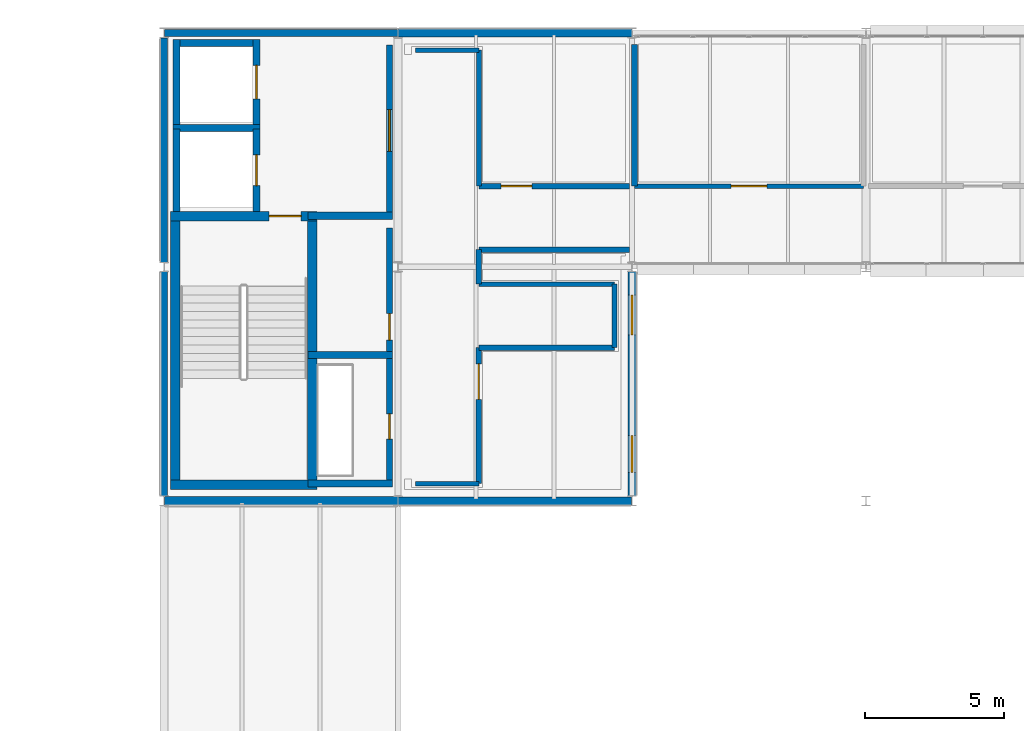
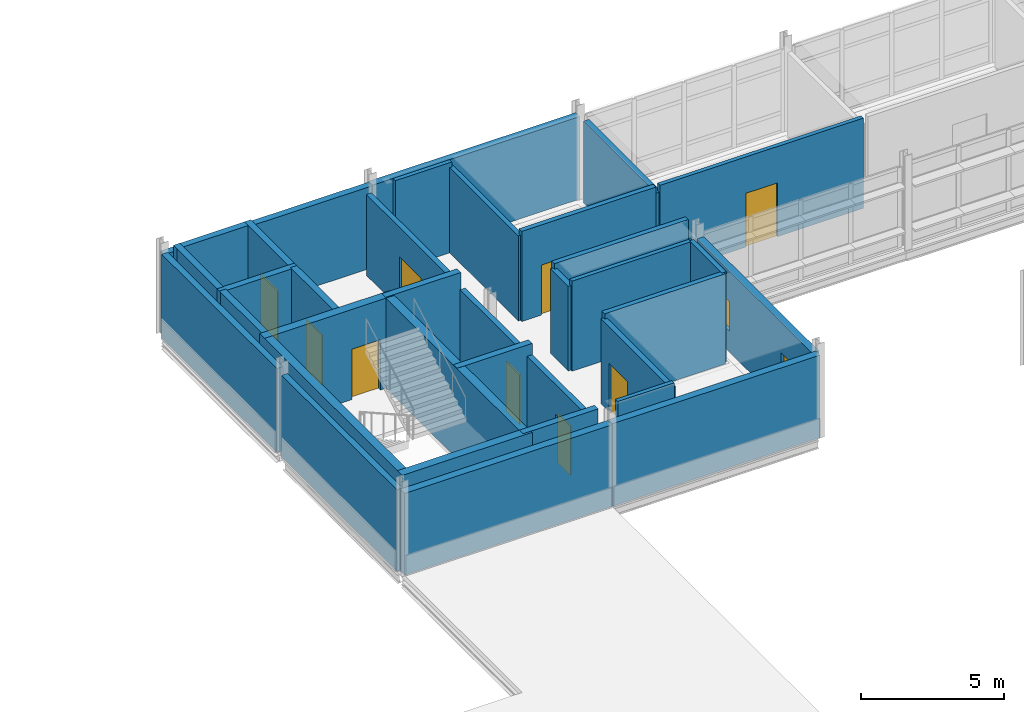
# One storey, part 51 of 66: 35 walls, 9 doors, 2 windows, 11 openings.
"""IFC4 building model written with IfcOpenShell, lengths in metres."""

from ifc_helpers import new_model, si_unit, direction, frame, frame_2d, origin, place, context, subcontext, project, spatial, rectangle, extrude, material, layer, layer_set, type_object, element, fill, save


model = new_model("IFC4")

# Units and contexts
model_context = context("Model", 3, precision=1e-05, world=origin(), true_north=direction((0.0, 1.0)))
body_context = subcontext(model_context, "Body", "Model", "MODEL_VIEW")
ifc_project = project(units=[si_unit("LENGTHUNIT", "METRE"), si_unit("AREAUNIT", "SQUARE_METRE"), si_unit("VOLUMEUNIT", "CUBIC_METRE"), si_unit("PLANEANGLEUNIT", "RADIAN"), si_unit("MASSUNIT", "GRAM", prefix="KILO")], contexts=[model_context])

# Site, building, storey
site_placement = place(None, origin())
site = spatial("IfcSite", under=ifc_project, at=site_placement, CompositionType="ELEMENT")
building_placement = place(site_placement, origin())
building = spatial("IfcBuilding", under=site, at=building_placement, Name="Mersafa Astral City Hall", CompositionType="ELEMENT")
storey_placement = place(building_placement, frame((0.0, 0.0, 22.050048828125)))
storey = spatial("IfcBuildingStorey", under=building, at=storey_placement, Name="L05", CompositionType="ELEMENT", Elevation=22.050048828125)

# Walls
ifc_material_1 = material(Name="Precast concrete C40/50 insulated terracotta spandrel", Category="masonry")
ifc_layer_1 = layer(ifc_material_1, 0.235107421875, Name="Precast concrete C40/50 insulated terracotta spandrel")
ifc_layer_set_1 = layer_set([ifc_layer_1], Name="Precast concrete C40/50 insulated terracotta spandrel — ENV-WAL-EXT-235")
wall_type_1 = type_object("IfcWallType", Name="ENV-WAL-EXT-235", PredefinedType="STANDARD", material=ifc_layer_set_1)
wall_1_placement = place(storey_placement, frame((42.0, 117.43408203125, 0.0), z_axis=(0.0, 0.0, 1.0), x_axis=(0.0, -1.0, 0.0)))
element("IfcWall", 1, at=wall_1_placement, inside=storey, type_object=wall_type_1, Name="L05 Limestone-clad exterior wall 353", PredefinedType="STANDARD", context=body_context, shape_type="SweptSolid", body=[
    extrude(rectangle(XDim=8.05810546875, YDim=0.235107421875, at=frame_2d((4.029052734375, 0.0))), origin(), (0.0, 0.0, 1.0), 3.4970703125),
])
ifc_layer_2 = layer(ifc_material_1, 0.25, Name="Precast concrete C40/50 insulated terracotta spandrel")
ifc_layer_set_2 = layer_set([ifc_layer_2], Name="Precast concrete C40/50 insulated terracotta spandrel — ENV-WAL-EXT-250")
wall_type_2 = type_object("IfcWallType", Name="ENV-WAL-EXT-250", PredefinedType="STANDARD", material=ifc_layer_set_2)
wall_2_placement = place(storey_placement, frame((42.0, 125.823974609375, 0.0), z_axis=(0.0, 0.0, 1.0), x_axis=(0.0, -1.0, 0.0)))
element("IfcWall", 2, at=wall_2_placement, inside=storey, type_object=wall_type_2, Name="L05 Limestone-clad exterior wall 352", PredefinedType="STANDARD", context=body_context, shape_type="SweptSolid", body=[
    extrude(rectangle(XDim=8.057861328125, YDim=0.25, at=frame_2d((4.02880859375, 0.0))), origin(), (0.0, 0.0, 1.0), 3.5869140625),
])
ifc_material_2 = material(Name="Precast concrete C40/50 insulated limestone wall", Category="masonry")
ifc_layer_3 = layer(ifc_material_2, 0.264892578125, Name="Precast concrete C40/50 insulated limestone wall")
ifc_layer_set_3 = layer_set([ifc_layer_3], Name="Precast concrete C40/50 insulated limestone wall — ENV-WAL-EXT-265")
wall_type_3 = type_object("IfcWallType", Name="ENV-WAL-EXT-265", PredefinedType="STANDARD", material=ifc_layer_set_3)
wall_3_placement = place(storey_placement, frame((50.39208984375, 126.0, 0.0), z_axis=(0.0, 0.0, 1.0), x_axis=(-1.0, 0.0, 0.0)))
element("IfcWall", 3, at=wall_3_placement, inside=storey, type_object=wall_type_3, Name="L05 Limestone-clad exterior wall 351", PredefinedType="STANDARD", context=body_context, shape_type="SweptSolid", body=[
    extrude(rectangle(XDim=8.384033203125, YDim=0.264892578125, at=frame_2d((4.19189453125, 0.0))), origin(), (0.0, 0.0, 1.0), 3.4970703125),
])
ifc_layer_4 = layer(ifc_material_2, 0.280029296875, Name="Precast concrete C40/50 insulated limestone wall")
ifc_layer_set_4 = layer_set([ifc_layer_4], Name="Precast concrete C40/50 insulated limestone wall — ENV-WAL-EXT-280")
wall_type_4 = type_object("IfcWallType", Name="ENV-WAL-EXT-280", PredefinedType="STANDARD", material=ifc_layer_set_4)
wall_4_placement = place(storey_placement, frame((58.7919921875, 126.0, 0.0), z_axis=(0.0, 0.0, 1.0), x_axis=(-1.0, 0.0, 0.0)))
element("IfcWall", 4, at=wall_4_placement, inside=storey, type_object=wall_type_4, Name="L05 Limestone-clad exterior wall 350", PredefinedType="STANDARD", context=body_context, shape_type="SweptSolid", body=[
    extrude(rectangle(XDim=8.384033203125, YDim=0.280029296875, at=frame_2d((4.19189453125, 0.0))), origin(), (0.0, 0.0, 1.0), 3.52685546875),
])

# Wall, openings, windows
wall_5_placement = place(storey_placement, frame((58.800048828125, 109.3759765625, 0.0), z_axis=(0.0, 0.0, 1.0), x_axis=(0.0, 1.0, 0.0)))
wall_5 = element("IfcWall", 5, at=wall_5_placement, inside=storey, type_object=wall_type_4, Name="L05 Limestone-clad exterior wall 356", PredefinedType="STANDARD", context=body_context, shape_type="SweptSolid", body=[
    extrude(rectangle(XDim=8.05810546875, YDim=0.280029296875, at=frame_2d((4.029052734375, 0.0))), origin(), (0.0, 0.0, 1.0), 3.45703125),
])
opening_1_placement = place(wall_5_placement, frame((0.85009765625, 0.0, 0.89990234375)))
opening_1 = element("IfcOpeningElement", 6, at=opening_1_placement, cuts=wall_5, Name="Opening W-14", PredefinedType="OPENING", context=body_context, shape_type="SweptSolid", body=[
    extrude(rectangle(XDim=1.320068359375, YDim=1.25, at=frame_2d((0.66015625, 0.625))), frame((0.0, 0.14990234375, 0.0), z_axis=(0.0, -1.0, 0.0), x_axis=(1.0, 0.0, 0.0)), (0.0, 0.0, 1.0), 0.300048828125),
])
opening_2_placement = place(wall_5_placement, frame((5.7880859375, 0.0, 0.89990234375)))
opening_2 = element("IfcOpeningElement", 7, at=opening_2_placement, cuts=wall_5, Name="Opening W-15", PredefinedType="OPENING", context=body_context, shape_type="SweptSolid", body=[
    extrude(rectangle(XDim=1.419921875, YDim=1.25, at=frame_2d((0.7099609375, 0.625))), frame((0.0, 0.14990234375, 0.0), z_axis=(0.0, -1.0, 0.0), x_axis=(1.0, 0.0, 0.0)), (0.0, 0.0, 1.0), 0.300048828125),
])
ifc_material_3 = material(Name="Solar control low-e double glazing in bronze frame", Category="glass")
window_type_1 = type_object("IfcWindowType", Name="ENV-WIN-W-14", PartitioningType="SINGLE_PANEL", PredefinedType="WINDOW", material=ifc_material_3)
window_1_placement = place(opening_1_placement, origin())
window_1 = element("IfcWindow", 8, at=window_1_placement, inside=storey, type_object=window_type_1, Name="L05 Solar punched window 356-L", OverallHeight=1.25, OverallWidth=1.320068359375, PartitioningType="SINGLE_PANEL", PredefinedType="WINDOW", context=body_context, shape_type="SweptSolid", body=[
    extrude(rectangle(XDim=1.320068359375, YDim=1.25, at=frame_2d((0.66015625, 0.625))), frame((0.0, 0.030029296875, 0.0), z_axis=(0.0, -1.0, 0.0), x_axis=(1.0, 0.0, 0.0)), (0.0, 0.0, 1.0), 0.06005859375),
])
fill(opening_1, window_1)
window_type_2 = type_object("IfcWindowType", Name="ENV-WIN-W-15", PartitioningType="SINGLE_PANEL", PredefinedType="WINDOW", material=ifc_material_3)
window_2_placement = place(opening_2_placement, origin())
window_2 = element("IfcWindow", 9, at=window_2_placement, inside=storey, type_object=window_type_2, Name="L05 Solar punched window 356-R", OverallHeight=1.25, OverallWidth=1.419921875, PartitioningType="SINGLE_PANEL", PredefinedType="WINDOW", context=body_context, shape_type="SweptSolid", body=[
    extrude(rectangle(XDim=1.419921875, YDim=1.25, at=frame_2d((0.7099609375, 0.625))), frame((0.0, 0.030029296875, 0.0), z_axis=(0.0, -1.0, 0.0), x_axis=(1.0, 0.0, 0.0)), (0.0, 0.0, 1.0), 0.06005859375),
])
fill(opening_2, window_2)

# Walls
ifc_layer_5 = layer(ifc_material_2, 0.294921875, Name="Precast concrete C40/50 insulated limestone wall")
ifc_layer_set_5 = layer_set([ifc_layer_5], Name="Precast concrete C40/50 insulated limestone wall — ENV-WAL-EXT-295")
wall_type_5 = type_object("IfcWallType", Name="ENV-WAL-EXT-295", PredefinedType="STANDARD", material=ifc_layer_set_5)
wall_6_placement = place(storey_placement, frame((50.407958984375, 109.199951171875, 0.0), z_axis=(0.0, 0.0, 1.0), x_axis=(1.0, 0.0, 0.0)))
element("IfcWall", 10, at=wall_6_placement, inside=storey, type_object=wall_type_5, Name="L05 Limestone-clad exterior wall 355", PredefinedType="STANDARD", context=body_context, shape_type="SweptSolid", body=[
    extrude(rectangle(XDim=8.384033203125, YDim=0.294921875, at=frame_2d((4.19189453125, 0.0))), origin(), (0.0, 0.0, 1.0), 3.52685546875),
])
ifc_layer_6 = layer(ifc_material_2, 0.31005859375, Name="Precast concrete C40/50 insulated limestone wall")
ifc_layer_set_6 = layer_set([ifc_layer_6], Name="Precast concrete C40/50 insulated limestone wall — ENV-WAL-EXT-310")
wall_type_6 = type_object("IfcWallType", Name="ENV-WAL-EXT-310", PredefinedType="STANDARD", material=ifc_layer_set_6)
wall_7_placement = place(storey_placement, frame((42.008056640625, 109.199951171875, 0.0), z_axis=(0.0, 0.0, 1.0), x_axis=(1.0, 0.0, 0.0)))
element("IfcWall", 11, at=wall_7_placement, inside=storey, type_object=wall_type_6, Name="L05 Limestone-clad exterior wall 354", PredefinedType="STANDARD", context=body_context, shape_type="SweptSolid", body=[
    extrude(rectangle(XDim=8.384033203125, YDim=0.31005859375, at=frame_2d((4.19189453125, 0.0))), origin(), (0.0, 0.0, 1.0), 3.4970703125),
])
ifc_material_4 = material(Name="Concrete C40/50", Category="concrete")
ifc_layer_7 = layer(ifc_material_4, 0.260009765625, Name="Concrete C40/50")
ifc_layer_set_7 = layer_set([ifc_layer_7], Name="Concrete C40/50 — INT-WAL-CORE-260")
wall_type_7 = type_object("IfcWallType", Name="INT-WAL-CORE-260", PredefinedType="SHEAR", material=ifc_layer_set_7)
wall_8_placement = place(storey_placement, frame((42.31494140625, 122.5849609375, 0.0), z_axis=(0.0, 0.0, 1.0), x_axis=(1.0, 0.0, 0.0)))
element("IfcWall", 12, at=wall_8_placement, inside=storey, type_object=wall_type_7, Name="L05 Lift LF5 north shaft wall", PredefinedType="SHEAR", context=body_context, shape_type="SweptSolid", body=[
    extrude(rectangle(XDim=3.130126953125, YDim=0.260009765625, at=frame_2d((1.56494140625, 0.0))), origin(), (0.0, 0.0, 1.0), 3.849853515625),
])
wall_9_placement = place(storey_placement, frame((42.445068359375, 119.596923828125, 0.0), z_axis=(0.0, 0.0, 1.0), x_axis=(0.0, 1.0, 0.0)))
element("IfcWall", 13, at=wall_9_placement, inside=storey, type_object=wall_type_7, Name="L05 Lift LF5 back shaft wall", PredefinedType="SHEAR", context=body_context, shape_type="SweptSolid", body=[
    extrude(rectangle(XDim=2.947998046875, YDim=0.260009765625, at=frame_2d((1.47412109375, 0.0))), origin(), (0.0, 0.0, 1.0), 3.849853515625),
])

# Wall, opening, door
wall_10_placement = place(storey_placement, frame((45.31494140625, 119.596923828125, 0.0), z_axis=(0.0, 0.0, 1.0), x_axis=(0.0, 1.0, 0.0)))
wall_10 = element("IfcWall", 14, at=wall_10_placement, inside=storey, type_object=wall_type_7, Name="L05 Lift LF5 front shaft wall", PredefinedType="SHEAR", context=body_context, shape_type="SweptSolid", body=[
    extrude(rectangle(XDim=2.947998046875, YDim=0.260009765625, at=frame_2d((1.47412109375, 0.0))), origin(), (0.0, 0.0, 1.0), 3.849853515625),
])
opening_3_placement = place(wall_10_placement, frame((0.924072265625, 0.0, 0.0)))
opening_3 = element("IfcOpeningElement", 15, at=opening_3_placement, cuts=wall_10, Name="Opening LD-1", PredefinedType="OPENING", context=body_context, shape_type="SweptSolid", body=[
    extrude(rectangle(XDim=1.10009765625, YDim=2.14990234375, at=frame_2d((0.550048828125, 1.074951171875))), frame((0.0, 0.139892578125, 0.0), z_axis=(0.0, -1.0, 0.0), x_axis=(1.0, 0.0, 0.0)), (0.0, 0.0, 1.0), 0.280029296875),
])
ifc_material_5 = material(Name="Stainless steel sliding lift landing door", Category="steel")
door_type_1 = type_object("IfcDoorType", Name="INT-DR-LIFT-LD1", OperationType="NOTDEFINED", PredefinedType="DOOR", material=ifc_material_5)
door_1_placement = place(opening_3_placement, origin())
door_1 = element("IfcDoor", 16, at=door_1_placement, inside=storey, type_object=door_type_1, Name="Elevator LF5 Sliding Landing Door L05", OperationType="DOUBLE_DOOR_SLIDING", OverallHeight=2.14990234375, OverallWidth=1.10009765625, PredefinedType="DOOR", context=body_context, shape_type="SweptSolid", body=[
    extrude(rectangle(XDim=1.10009765625, YDim=2.14990234375, at=frame_2d((0.550048828125, 1.074951171875))), frame((0.0, 0.02490234375, 0.0), z_axis=(0.0, -1.0, 0.0), x_axis=(1.0, 0.0, 0.0)), (0.0, 0.0, 1.0), 0.050048828125),
])
fill(opening_3, door_1)

# Walls
wall_11_placement = place(storey_placement, frame((42.31494140625, 125.635009765625, 0.0), z_axis=(0.0, 0.0, 1.0), x_axis=(1.0, 0.0, 0.0)))
element("IfcWall", 17, at=wall_11_placement, inside=storey, type_object=wall_type_7, Name="L05 Lift LF9 north shaft wall", PredefinedType="SHEAR", context=body_context, shape_type="SweptSolid", body=[
    extrude(rectangle(XDim=3.130126953125, YDim=0.260009765625, at=frame_2d((1.56494140625, 0.0))), origin(), (0.0, 0.0, 1.0), 3.849853515625),
])
wall_12_placement = place(storey_placement, frame((42.445068359375, 122.705078125, 0.0), z_axis=(0.0, 0.0, 1.0), x_axis=(0.0, 1.0, 0.0)))
element("IfcWall", 18, at=wall_12_placement, inside=storey, type_object=wall_type_7, Name="L05 Lift LF9 back shaft wall", PredefinedType="SHEAR", context=body_context, shape_type="SweptSolid", body=[
    extrude(rectangle(XDim=3.059814453125, YDim=0.260009765625, at=frame_2d((1.52978515625, 0.0))), origin(), (0.0, 0.0, 1.0), 3.849853515625),
])

# Wall, opening, door
wall_13_placement = place(storey_placement, frame((45.31494140625, 122.705078125, 0.0), z_axis=(0.0, 0.0, 1.0), x_axis=(0.0, 1.0, 0.0)))
wall_13 = element("IfcWall", 19, at=wall_13_placement, inside=storey, type_object=wall_type_7, Name="L05 Lift LF9 front shaft wall", PredefinedType="SHEAR", context=body_context, shape_type="SweptSolid", body=[
    extrude(rectangle(XDim=3.059814453125, YDim=0.260009765625, at=frame_2d((1.52978515625, 0.0))), origin(), (0.0, 0.0, 1.0), 3.849853515625),
])
opening_4_placement = place(wall_13_placement, frame((0.929931640625, 0.0, 0.0)))
opening_4 = element("IfcOpeningElement", 20, at=opening_4_placement, cuts=wall_13, Name="Opening LD-2", PredefinedType="OPENING", context=body_context, shape_type="SweptSolid", body=[
    extrude(rectangle(XDim=1.199951171875, YDim=2.14990234375, at=frame_2d((0.60009765625, 1.074951171875))), frame((0.0, 0.139892578125, 0.0), z_axis=(0.0, -1.0, 0.0), x_axis=(1.0, 0.0, 0.0)), (0.0, 0.0, 1.0), 0.280029296875),
])
ifc_material_6 = material(Name="Heavy-duty sliding goods lift landing door", Category="metal")
door_type_2 = type_object("IfcDoorType", Name="INT-DR-LIFT-LD2", OperationType="NOTDEFINED", PredefinedType="DOOR", material=ifc_material_6)
door_2_placement = place(opening_4_placement, origin())
door_2 = element("IfcDoor", 21, at=door_2_placement, inside=storey, type_object=door_type_2, Name="Elevator LF9 Sliding Landing Door L05", OperationType="DOUBLE_DOOR_SLIDING", OverallHeight=2.14990234375, OverallWidth=1.199951171875, PredefinedType="DOOR", context=body_context, shape_type="SweptSolid", body=[
    extrude(rectangle(XDim=1.199951171875, YDim=2.14990234375, at=frame_2d((0.60009765625, 1.074951171875))), frame((0.0, 0.02490234375, 0.0), z_axis=(0.0, -1.0, 0.0), x_axis=(1.0, 0.0, 0.0)), (0.0, 0.0, 1.0), 0.050048828125),
])
fill(opening_4, door_2)

# Walls
for number, where, z_axis, x_axis, name in (
    (22, (47.1650390625, 109.820068359375, 0.0), (0.0, 0.0, 1.0), (1.0, 0.0, 0.0), "L05 Core K3 riser south wall"),
    (23, (47.1650390625, 114.43505859375, 0.0), (0.0, 0.0, 1.0), (1.0, 0.0, 0.0), "L05 Core K3 riser-restroom divider wall"),
    (24, (47.1650390625, 119.43505859375, 0.0), (0.0, 0.0, 1.0), (1.0, 0.0, 0.0), "L05 Core K3 restroom-lobby divider wall"),
):
    element("IfcWall", number, at=place(storey_placement, frame(where, z_axis=z_axis, x_axis=x_axis)), inside=storey, type_object=wall_type_7, Name=name, PredefinedType="SHEAR", context=body_context, shape_type="SweptSolid", body=[
        extrude(rectangle(XDim=3.034912109375, YDim=0.260009765625, at=frame_2d((1.517578125, 0.0))), origin(), (0.0, 0.0, 1.0), 3.849853515625),
    ])
ifc_layer_8 = layer(ifc_material_4, 0.340087890625, Name="Concrete C40/50")
ifc_layer_set_8 = layer_set([ifc_layer_8], Name="Concrete C40/50 — INT-WAL-CORE-340")
wall_type_8 = type_object("IfcWallType", Name="INT-WAL-CORE-340", PredefinedType="SHEAR", material=ifc_layer_set_8)
for number, where, z_axis, x_axis, name in (
    (25, (42.405029296875, 109.60498046875, 0.0), (0.0, 0.0, 1.0), (0.0, 1.0, 0.0), "L05 Core K3 stair west shear wall"),
    (26, (47.31494140625, 109.60498046875, 0.0), (0.0, 0.0, 1.0), (0.0, 1.0, 0.0), "L05 Core K3 stair east shear wall"),
):
    element("IfcWall", number, at=place(storey_placement, frame(where, z_axis=z_axis, x_axis=x_axis)), inside=storey, type_object=wall_type_8, Name=name, PredefinedType="SHEAR", context=body_context, shape_type="SweptSolid", body=[
        extrude(rectangle(XDim=9.989990234375, YDim=0.340087890625, at=frame_2d((4.9951171875, 0.0))), origin(), (0.0, 0.0, 1.0), 3.849853515625),
    ])
wall_14_placement = place(storey_placement, frame((42.235107421875, 109.77490234375, 0.0), z_axis=(0.0, 0.0, 1.0), x_axis=(1.0, 0.0, 0.0)))
element("IfcWall", 27, at=wall_14_placement, inside=storey, type_object=wall_type_8, Name="L05 Core K3 stair south shear wall", PredefinedType="SHEAR", context=body_context, shape_type="SweptSolid", body=[
    extrude(rectangle(XDim=5.25, YDim=0.340087890625, at=frame_2d((2.625, 0.0))), origin(), (0.0, 0.0, 1.0), 3.849853515625),
])

# Wall, opening, door
wall_15_placement = place(storey_placement, frame((42.235107421875, 119.425048828125, 0.0), z_axis=(0.0, 0.0, 1.0), x_axis=(1.0, 0.0, 0.0)))
wall_15 = element("IfcWall", 28, at=wall_15_placement, inside=storey, type_object=wall_type_8, Name="L05 Core K3 stair-lobby fire wall", PredefinedType="SHEAR", context=body_context, shape_type="SweptSolid", body=[
    extrude(rectangle(XDim=5.25, YDim=0.340087890625, at=frame_2d((2.625, 0.0))), origin(), (0.0, 0.0, 1.0), 3.849853515625),
])
opening_5_placement = place(wall_15_placement, frame((3.534912109375, 0.0, 0.0)))
opening_5 = element("IfcOpeningElement", 29, at=opening_5_placement, cuts=wall_15, Name="Opening CD-1", PredefinedType="OPENING", context=body_context, shape_type="SweptSolid", body=[
    extrude(rectangle(XDim=1.14990234375, YDim=2.14990234375, at=frame_2d((0.574951171875, 1.074951171875))), frame((0.0, 0.179931640625, 0.0), z_axis=(0.0, -1.0, 0.0), x_axis=(1.0, 0.0, 0.0)), (0.0, 0.0, 1.0), 0.360107421875),
])
ifc_material_7 = material(Name="Fire-rated steel stair door", Category="steel")
door_type_3 = type_object("IfcDoorType", Name="INT-DR-STAIR-FD90-1150", OperationType="NOTDEFINED", PredefinedType="DOOR", material=ifc_material_7)
door_3_placement = place(opening_5_placement, origin())
door_3 = element("IfcDoor", 30, at=door_3_placement, inside=storey, type_object=door_type_3, Name="L05 Protected Stair ST3 Door", OperationType="SINGLE_SWING_LEFT", OverallHeight=2.14990234375, OverallWidth=1.14990234375, PredefinedType="DOOR", context=body_context, shape_type="SweptSolid", body=[
    extrude(rectangle(XDim=1.14990234375, YDim=2.14990234375, at=frame_2d((0.574951171875, 1.074951171875))), frame((0.0, 0.02490234375, 0.0), z_axis=(0.0, -1.0, 0.0), x_axis=(1.0, 0.0, 0.0)), (0.0, 0.0, 1.0), 0.050048828125),
])
fill(opening_5, door_3)

ifc_material_8 = material(Name="Fire-rated gypsum stud partition", Category="gypsum")
ifc_layer_9 = layer(ifc_material_8, 0.1650390625, Name="Fire-rated gypsum stud partition")
ifc_layer_set_9 = layer_set([ifc_layer_9], Name="Fire-rated gypsum stud partition — INT-WAL-PART-EI60-165")
wall_type_9 = type_object("IfcWallType", Name="INT-WAL-PART-EI60-165", PredefinedType="STANDARD", material=ifc_layer_set_9)
wall_16_placement = place(storey_placement, frame((67.110107421875, 120.5, -0.004150390625), z_axis=(0.0, 0.0, 1.0), x_axis=(-1.0, 0.0, 0.0)))
wall_16 = element("IfcWall", 31, at=wall_16_placement, inside=storey, type_object=wall_type_9, Name="L05 Interior partition wall 743", PredefinedType="STANDARD", context=body_context, shape_type="SweptSolid", body=[
    extrude(rectangle(XDim=8.22021484375, YDim=0.1650390625, at=frame_2d((4.110107421875, 0.0))), origin(), (0.0, 0.0, 1.0), 3.85400390625),
])
opening_6_placement = place(wall_16_placement, frame((3.469970703125, 0.0, 0.0)))
opening_6 = element("IfcOpeningElement", 32, at=opening_6_placement, cuts=wall_16, Name="Opening D-33", PredefinedType="OPENING", context=body_context, shape_type="SweptSolid", body=[
    extrude(rectangle(XDim=1.280029296875, YDim=2.300048828125, at=frame_2d((0.64013671875, 1.14990234375))), frame((0.0, 0.092529296875, 0.0), z_axis=(0.0, -1.0, 0.0), x_axis=(1.0, 0.0, 0.0)), (0.0, 0.0, 1.0), 0.18505859375),
])
ifc_material_9 = material(Name="Cedar veneered acoustic fire-rated timber door", Category="wood")
door_type_4 = type_object("IfcDoorType", Name="INT-DR-RM-D-33", OperationType="NOTDEFINED", PredefinedType="DOOR", material=ifc_material_9)
door_4_placement = place(opening_6_placement, origin())
door_4 = element("IfcDoor", 33, at=door_4_placement, inside=storey, type_object=door_type_4, Name="L05 Deputy Mayor Executive Suite L05-02 Entrance Door", OperationType="SINGLE_SWING_LEFT", OverallHeight=2.300048828125, OverallWidth=1.280029296875, PredefinedType="DOOR", context=body_context, shape_type="SweptSolid", body=[
    extrude(rectangle(XDim=1.280029296875, YDim=2.300048828125, at=frame_2d((0.64013671875, 1.14990234375))), frame((0.0, 0.02490234375, 0.0), z_axis=(0.0, -1.0, 0.0), x_axis=(1.0, 0.0, 0.0)), (0.0, 0.0, 1.0), 0.050048828125),
])
fill(opening_6, door_4)

# Walls
wall_17_placement = place(storey_placement, frame((51.02001953125, 109.820068359375, -0.004150390625), z_axis=(0.0, 0.0, 1.0), x_axis=(1.0, 0.0, 0.0)))
element("IfcWall", 34, at=wall_17_placement, inside=storey, type_object=wall_type_9, Name="L05 Interior partition wall 763", PredefinedType="STANDARD", context=body_context, shape_type="SweptSolid", body=[
    extrude(rectangle(XDim=2.280029296875, YDim=0.1650390625, at=frame_2d((1.14013671875, 0.0))), origin(), (0.0, 0.0, 1.0), 3.85400390625),
])
wall_18_placement = place(storey_placement, frame((58.179931640625, 116.97998046875, -0.004150390625), z_axis=(0.0, 0.0, 1.0), x_axis=(-1.0, 0.0, 0.0)))
element("IfcWall", 35, at=wall_18_placement, inside=storey, type_object=wall_type_9, Name="L05 Interior partition wall 767", PredefinedType="STANDARD", context=body_context, shape_type="SweptSolid", body=[
    extrude(rectangle(XDim=4.8798828125, YDim=0.1650390625, at=frame_2d((2.43994140625, 0.0))), origin(), (0.0, 0.0, 1.0), 3.85400390625),
])
wall_19_placement = place(storey_placement, frame((53.300048828125, 125.3798828125, -0.004150390625), z_axis=(0.0, 0.0, 1.0), x_axis=(-1.0, 0.0, 0.0)))
element("IfcWall", 36, at=wall_19_placement, inside=storey, type_object=wall_type_9, Name="L05 Interior partition wall 791", PredefinedType="STANDARD", context=body_context, shape_type="SweptSolid", body=[
    extrude(rectangle(XDim=2.280029296875, YDim=0.1650390625, at=frame_2d((1.14013671875, 0.0))), origin(), (0.0, 0.0, 1.0), 3.85400390625),
])
ifc_material_10 = material(Name="Acoustic twin-stud gypsum partition", Category="gypsum")
ifc_layer_10 = layer(ifc_material_10, 0.179931640625, Name="Acoustic twin-stud gypsum partition")
ifc_layer_set_10 = layer_set([ifc_layer_10], Name="Acoustic twin-stud gypsum partition — INT-WAL-PART-EI60-180")
wall_type_10 = type_object("IfcWallType", Name="INT-WAL-PART-EI60-180", PredefinedType="STANDARD", material=ifc_layer_set_10)
wall_20_placement = place(storey_placement, frame((58.179931640625, 114.699951171875, -0.004150390625), z_axis=(0.0, 0.0, 1.0), x_axis=(0.0, 1.0, 0.0)))
element("IfcWall", 37, at=wall_20_placement, inside=storey, type_object=wall_type_10, Name="L05 Interior partition wall 766", PredefinedType="STANDARD", context=body_context, shape_type="SweptSolid", body=[
    extrude(rectangle(XDim=2.280029296875, YDim=0.179931640625, at=frame_2d((1.14013671875, 0.0))), origin(), (0.0, 0.0, 1.0), 3.85400390625),
])
wall_21_placement = place(storey_placement, frame((53.300048828125, 120.5, -0.004150390625), z_axis=(0.0, 0.0, 1.0), x_axis=(0.0, 1.0, 0.0)))
element("IfcWall", 38, at=wall_21_placement, inside=storey, type_object=wall_type_10, Name="L05 Interior partition wall 790", PredefinedType="STANDARD", context=body_context, shape_type="SweptSolid", body=[
    extrude(rectangle(XDim=4.8798828125, YDim=0.179931640625, at=frame_2d((2.43994140625, 0.0))), origin(), (0.0, 0.0, 1.0), 3.64111328125),
])
ifc_layer_11 = layer(ifc_material_10, 0.195068359375, Name="Acoustic twin-stud gypsum partition")
ifc_layer_set_11 = layer_set([ifc_layer_11], Name="Acoustic twin-stud gypsum partition — INT-WAL-PART-EI60-195")
wall_type_11 = type_object("IfcWallType", Name="INT-WAL-PART-EI60-195", PredefinedType="STANDARD", material=ifc_layer_set_11)
wall_22_placement = place(storey_placement, frame((53.300048828125, 114.699951171875, -0.004150390625), z_axis=(0.0, 0.0, 1.0), x_axis=(1.0, 0.0, 0.0)))
element("IfcWall", 39, at=wall_22_placement, inside=storey, type_object=wall_type_11, Name="L05 Interior partition wall 765", PredefinedType="STANDARD", context=body_context, shape_type="SweptSolid", body=[
    extrude(rectangle(XDim=4.8798828125, YDim=0.195068359375, at=frame_2d((2.43994140625, 0.0))), origin(), (0.0, 0.0, 1.0), 3.85400390625),
])
wall_23_placement = place(storey_placement, frame((53.300048828125, 118.219970703125, -0.004150390625), z_axis=(0.0, 0.0, 1.0), x_axis=(1.0, 0.0, 0.0)))
element("IfcWall", 40, at=wall_23_placement, inside=storey, type_object=wall_type_11, Name="L05 Interior partition wall 769", PredefinedType="STANDARD", context=body_context, shape_type="SweptSolid", body=[
    extrude(rectangle(XDim=5.409912109375, YDim=0.195068359375, at=frame_2d((2.705078125, 0.0))), origin(), (0.0, 0.0, 1.0), 3.85400390625),
])

# Wall, opening, door
wall_24_placement = place(storey_placement, frame((58.7099609375, 120.5, -0.004150390625), z_axis=(0.0, 0.0, 1.0), x_axis=(-1.0, 0.0, 0.0)))
wall_24 = element("IfcWall", 41, at=wall_24_placement, inside=storey, type_object=wall_type_11, Name="L05 Interior partition wall 789", PredefinedType="STANDARD", context=body_context, shape_type="SweptSolid", body=[
    extrude(rectangle(XDim=5.409912109375, YDim=0.195068359375, at=frame_2d((2.705078125, 0.0))), origin(), (0.0, 0.0, 1.0), 3.85400390625),
])
opening_7_placement = place(wall_24_placement, frame((3.507568359375, 0.0, 0.0)))
opening_7 = element("IfcOpeningElement", 42, at=opening_7_placement, cuts=wall_24, Name="Opening D-13", PredefinedType="OPENING", context=body_context, shape_type="SweptSolid", body=[
    extrude(rectangle(XDim=1.10009765625, YDim=2.139892578125, at=frame_2d((0.550048828125, 1.06982421875))), frame((0.0, 0.107421875, 0.0), z_axis=(0.0, -1.0, 0.0), x_axis=(1.0, 0.0, 0.0)), (0.0, 0.0, 1.0), 0.215087890625),
])
door_type_5 = type_object("IfcDoorType", Name="INT-DR-RM-D-13", OperationType="NOTDEFINED", PredefinedType="DOOR", material=ifc_material_9)
door_5_placement = place(opening_7_placement, origin())
door_5 = element("IfcDoor", 43, at=door_5_placement, inside=storey, type_object=door_type_5, Name="L05 Capital Budget Review Room L05-18 Entrance Door", OperationType="SINGLE_SWING_LEFT", OverallHeight=2.139892578125, OverallWidth=1.10009765625, PredefinedType="DOOR", context=body_context, shape_type="SweptSolid", body=[
    extrude(rectangle(XDim=1.10009765625, YDim=2.139892578125, at=frame_2d((0.550048828125, 1.06982421875))), frame((0.0, 0.02490234375, 0.0), z_axis=(0.0, -1.0, 0.0), x_axis=(1.0, 0.0, 0.0)), (0.0, 0.0, 1.0), 0.050048828125),
])
fill(opening_7, door_5)

ifc_material_11 = material(Name="Autoclaved aerated concrete blockwork plastered", Category="masonry")
ifc_layer_12 = layer(ifc_material_11, 0.2099609375, Name="Autoclaved aerated concrete blockwork plastered")
ifc_layer_set_12 = layer_set([ifc_layer_12], Name="Autoclaved aerated concrete blockwork plastered — INT-WAL-PART-EI60-210")
wall_type_12 = type_object("IfcWallType", Name="INT-WAL-PART-EI60-210", PredefinedType="STANDARD", material=ifc_layer_set_12)
wall_25_placement = place(storey_placement, frame((50.10009765625, 109.820068359375, 0.0), z_axis=(0.0, 0.0, 1.0), x_axis=(0.0, 1.0, 0.0)))
wall_25 = element("IfcWall", 44, at=wall_25_placement, inside=storey, type_object=wall_type_12, Name="L05 Core K3 riser corridor partition", PredefinedType="STANDARD", context=body_context, shape_type="SweptSolid", body=[
    extrude(rectangle(XDim=4.58984375, YDim=0.2099609375, at=frame_2d((2.294921875, 0.0))), origin(), (0.0, 0.0, 1.0), 3.366943359375),
])
opening_8_placement = place(wall_25_placement, frame((1.60009765625, 0.0, 0.0)))
opening_8 = element("IfcOpeningElement", 45, at=opening_8_placement, cuts=wall_25, Name="Opening CD-5", PredefinedType="OPENING", context=body_context, shape_type="SweptSolid", body=[
    extrude(rectangle(XDim=0.89990234375, YDim=2.10009765625, at=frame_2d((0.449951171875, 1.050048828125))), frame((0.0, 0.114990234375, 0.0), z_axis=(0.0, -1.0, 0.0), x_axis=(1.0, 0.0, 0.0)), (0.0, 0.0, 1.0), 0.22998046875),
])
ifc_material_12 = material(Name="Fire-rated steel riser access door", Category="steel")
door_type_6 = type_object("IfcDoorType", Name="INT-DR-RISER-FD60-900", OperationType="NOTDEFINED", PredefinedType="DOOR", material=ifc_material_12)
door_6_placement = place(opening_8_placement, origin())
door_6 = element("IfcDoor", 46, at=door_6_placement, inside=storey, type_object=door_type_6, Name="L05 K3 MEP Riser Access Door", OperationType="SINGLE_SWING_RIGHT", OverallHeight=2.10009765625, OverallWidth=0.89990234375, PredefinedType="DOOR", context=body_context, shape_type="SweptSolid", body=[
    extrude(rectangle(XDim=0.89990234375, YDim=2.10009765625, at=frame_2d((0.449951171875, 1.050048828125))), frame((0.0, 0.02490234375, 0.0), z_axis=(0.0, -1.0, 0.0), x_axis=(1.0, 0.0, 0.0)), (0.0, 0.0, 1.0), 0.050048828125),
])
fill(opening_8, door_6)

wall_26_placement = place(storey_placement, frame((50.10009765625, 114.52001953125, 0.0), z_axis=(0.0, 0.0, 1.0), x_axis=(0.0, 1.0, 0.0)))
wall_26 = element("IfcWall", 47, at=wall_26_placement, inside=storey, type_object=wall_type_12, Name="L05 Core K3 accessible WC corridor partition", PredefinedType="STANDARD", context=body_context, shape_type="SweptSolid", body=[
    extrude(rectangle(XDim=4.47998046875, YDim=0.2099609375, at=frame_2d((2.239990234375, 0.0))), origin(), (0.0, 0.0, 1.0), 3.366943359375),
])
opening_9_placement = place(wall_26_placement, frame((0.449951171875, 0.0, 0.0)))
opening_9 = element("IfcOpeningElement", 48, at=opening_9_placement, cuts=wall_26, Name="Opening CD-4", PredefinedType="OPENING", context=body_context, shape_type="SweptSolid", body=[
    extrude(rectangle(XDim=0.949951171875, YDim=2.14990234375, at=frame_2d((0.47509765625, 1.074951171875))), frame((0.0, 0.114990234375, 0.0), z_axis=(0.0, -1.0, 0.0), x_axis=(1.0, 0.0, 0.0)), (0.0, 0.0, 1.0), 0.22998046875),
])
ifc_material_13 = material(Name="Accessible timber acoustic WC door", Category="wood")
door_type_7 = type_object("IfcDoorType", Name="INT-DR-WC-FD30-950", OperationType="NOTDEFINED", PredefinedType="DOOR", material=ifc_material_13)
door_7_placement = place(opening_9_placement, origin())
door_7 = element("IfcDoor", 49, at=door_7_placement, inside=storey, type_object=door_type_7, Name="L05 K3 Accessible Restroom Door", OperationType="SINGLE_SWING_LEFT", OverallHeight=2.14990234375, OverallWidth=0.949951171875, PredefinedType="DOOR", context=body_context, shape_type="SweptSolid", body=[
    extrude(rectangle(XDim=0.949951171875, YDim=2.14990234375, at=frame_2d((0.47509765625, 1.074951171875))), frame((0.0, 0.02490234375, 0.0), z_axis=(0.0, -1.0, 0.0), x_axis=(1.0, 0.0, 0.0)), (0.0, 0.0, 1.0), 0.050048828125),
])
fill(opening_9, door_7)

wall_27_placement = place(storey_placement, frame((50.10009765625, 119.43994140625, 0.0), z_axis=(0.0, 0.0, 1.0), x_axis=(0.0, 1.0, 0.0)))
wall_27 = element("IfcWall", 50, at=wall_27_placement, inside=storey, type_object=wall_type_12, Name="L05 Core K3 lobby corridor partition", PredefinedType="STANDARD", context=body_context, shape_type="SweptSolid", body=[
    extrude(rectangle(XDim=6.1201171875, YDim=0.2099609375, at=frame_2d((3.06005859375, 0.0))), origin(), (0.0, 0.0, 1.0), 3.45703125),
])
opening_10_placement = place(wall_27_placement, frame((2.31005859375, 0.0, 0.0)))
opening_10 = element("IfcOpeningElement", 51, at=opening_10_placement, cuts=wall_27, Name="Opening CD-3", PredefinedType="OPENING", context=body_context, shape_type="SweptSolid", body=[
    extrude(rectangle(XDim=1.5, YDim=2.199951171875, at=frame_2d((0.75, 1.10009765625))), frame((0.0, 0.114990234375, 0.0), z_axis=(0.0, -1.0, 0.0), x_axis=(1.0, 0.0, 0.0)), (0.0, 0.0, 1.0), 0.22998046875),
])
ifc_material_14 = material(Name="Fire-rated glazed lobby door pair", Category="metal")
door_type_8 = type_object("IfcDoorType", Name="INT-DR-LOBBY-FD90-1500", OperationType="NOTDEFINED", PredefinedType="DOOR", material=ifc_material_14)
door_8_placement = place(opening_10_placement, origin())
door_8 = element("IfcDoor", 52, at=door_8_placement, inside=storey, type_object=door_type_8, Name="L05 K3 Lift Lobby Fire Door", OperationType="DOUBLE_DOOR_SINGLE_SWING", OverallHeight=2.199951171875, OverallWidth=1.5, PredefinedType="DOOR", context=body_context, shape_type="SweptSolid", body=[
    extrude(rectangle(XDim=1.5, YDim=2.199951171875, at=frame_2d((0.75, 1.10009765625))), frame((0.0, 0.02490234375, 0.0), z_axis=(0.0, -1.0, 0.0), x_axis=(1.0, 0.0, 0.0)), (0.0, 0.0, 1.0), 0.050048828125),
])
fill(opening_10, door_8)

# Wall
wall_28_placement = place(storey_placement, frame((58.889892578125, 120.5, -0.004150390625), z_axis=(0.0, 0.0, 1.0), x_axis=(0.0, 1.0, 0.0)))
element("IfcWall", 53, at=wall_28_placement, inside=storey, type_object=wall_type_12, Name="L05 Interior partition wall 744", PredefinedType="STANDARD", context=body_context, shape_type="SweptSolid", body=[
    extrude(rectangle(XDim=5.080078125, YDim=0.2099609375, at=frame_2d((2.5400390625, 0.0))), origin(), (0.0, 0.0, 1.0), 3.510986328125),
])

# Wall, opening, door
wall_29_placement = place(storey_placement, frame((53.300048828125, 109.820068359375, -0.004150390625), z_axis=(0.0, 0.0, 1.0), x_axis=(0.0, 1.0, 0.0)))
wall_29 = element("IfcWall", 54, at=wall_29_placement, inside=storey, type_object=wall_type_12, Name="L05 Interior partition wall 764", PredefinedType="STANDARD", context=body_context, shape_type="SweptSolid", body=[
    extrude(rectangle(XDim=4.8798828125, YDim=0.2099609375, at=frame_2d((2.43994140625, 0.0))), origin(), (0.0, 0.0, 1.0), 3.62109375),
])
opening_11_placement = place(wall_29_placement, frame((3.02001953125, 0.0, 0.0)))
opening_11 = element("IfcOpeningElement", 55, at=opening_11_placement, cuts=wall_29, Name="Opening D-06", PredefinedType="OPENING", context=body_context, shape_type="SweptSolid", body=[
    extrude(rectangle(XDim=1.280029296875, YDim=2.06005859375, at=frame_2d((0.64013671875, 1.030029296875))), frame((0.0, 0.114990234375, 0.0), z_axis=(0.0, -1.0, 0.0), x_axis=(1.0, 0.0, 0.0)), (0.0, 0.0, 1.0), 0.22998046875),
])
door_type_9 = type_object("IfcDoorType", Name="INT-DR-RM-D-06", OperationType="NOTDEFINED", PredefinedType="DOOR", material=ifc_material_9)
door_9_placement = place(opening_11_placement, origin())
door_9 = element("IfcDoor", 56, at=door_9_placement, inside=storey, type_object=door_type_9, Name="L05 Capital Budget Review Room L05-11 Entrance Door", OperationType="SINGLE_SWING_RIGHT", OverallHeight=2.06005859375, OverallWidth=1.280029296875, PredefinedType="DOOR", context=body_context, shape_type="SweptSolid", body=[
    extrude(rectangle(XDim=1.280029296875, YDim=2.06005859375, at=frame_2d((0.64013671875, 1.030029296875))), frame((0.0, 0.02490234375, 0.0), z_axis=(0.0, -1.0, 0.0), x_axis=(1.0, 0.0, 0.0)), (0.0, 0.0, 1.0), 0.050048828125),
])
fill(opening_11, door_9)

# Wall
wall_30_placement = place(storey_placement, frame((53.300048828125, 116.97998046875, -0.004150390625), z_axis=(0.0, 0.0, 1.0), x_axis=(0.0, 1.0, 0.0)))
element("IfcWall", 57, at=wall_30_placement, inside=storey, type_object=wall_type_12, Name="L05 Interior partition wall 768", PredefinedType="STANDARD", context=body_context, shape_type="SweptSolid", body=[
    extrude(rectangle(XDim=1.239990234375, YDim=0.2099609375, at=frame_2d((0.6201171875, 0.0))), origin(), (0.0, 0.0, 1.0), 3.62109375),
])

save(model, "model.ifc")
